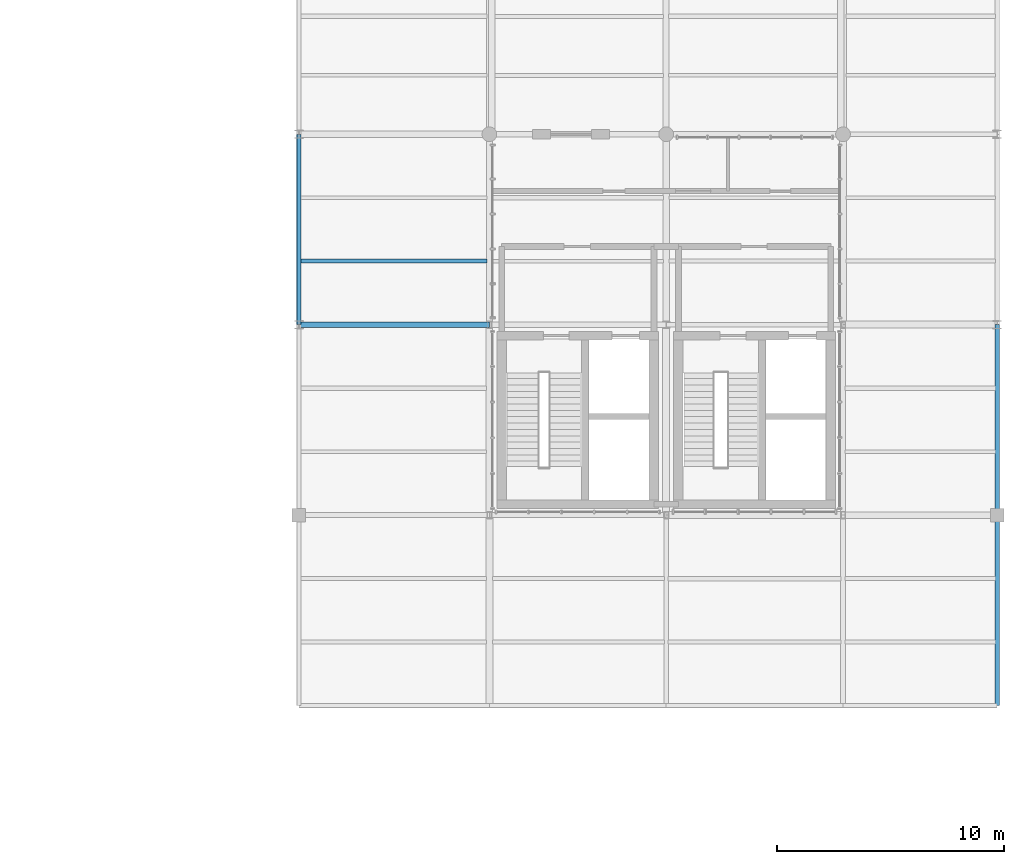
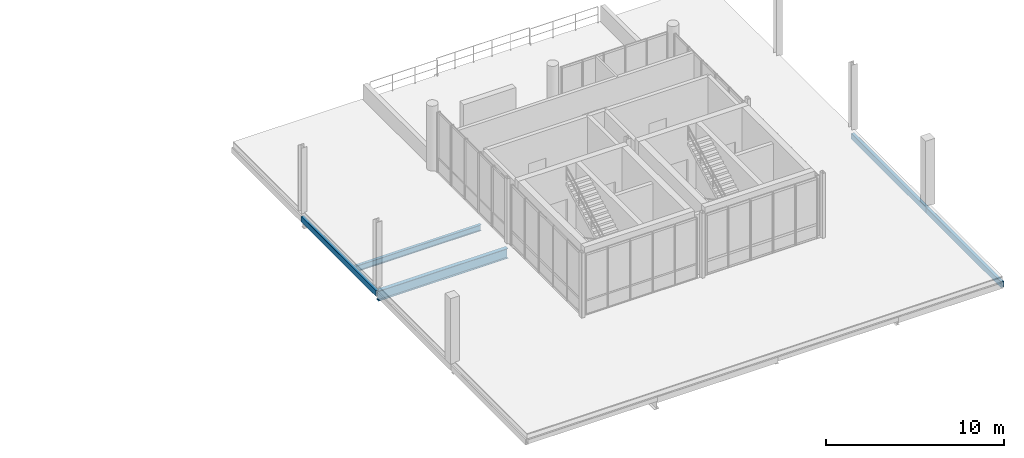
# One storey, part 40 of 66: 5 beams.
"""IFC4 building model written with IfcOpenShell, lengths in metres."""

from ifc_helpers import new_model, si_unit, direction, frame, origin_with_axes, origin_2d_with_axis, place, context, subcontext, project, spatial, hollow_rectangle, i_section, extrude, material, material_profile, profile_set, type_object, element, save


model = new_model("IFC4")

# Units and contexts
model_context = context("Model", 3, precision=1e-05, world=origin_with_axes(), true_north=direction((0.0, 1.0)))
body_context = subcontext(model_context, "Body", "Model", "MODEL_VIEW")
ifc_project = project(units=[si_unit("LENGTHUNIT", "METRE"), si_unit("AREAUNIT", "SQUARE_METRE"), si_unit("VOLUMEUNIT", "CUBIC_METRE"), si_unit("PLANEANGLEUNIT", "RADIAN"), si_unit("MASSUNIT", "GRAM", prefix="KILO"), si_unit("THERMODYNAMICTEMPERATUREUNIT", "KELVIN")], contexts=[model_context])

# Site, building, storey
site_placement = place(None, origin_with_axes())
site = spatial("IfcSite", under=ifc_project, at=site_placement, CompositionType="ELEMENT")
building_placement = place(site_placement, origin_with_axes())
building = spatial("IfcBuilding", under=site, at=building_placement, Name="Montbau Bow Law Courts", CompositionType="ELEMENT")
storey_placement = place(building_placement, frame((0.0, 0.0, 34.5), z_axis=(0.0, 0.0, 1.0), x_axis=(1.0, 0.0, 0.0)))
storey = spatial("IfcBuildingStorey", under=building, at=storey_placement, Name="L07", CompositionType="ELEMENT", Elevation=34.5)

# Beams
ifc_material_1 = material(Name="Steel CSA G40.21 Grade 350W (350 MPa)", Category="steel")
ifc_material_profile_1 = material_profile(ifc_material_1, i_section(OverallWidth=0.254, OverallDepth=0.688, WebThickness=0.0131, FlangeThickness=0.0211, at=origin_2d_with_axis()), Name="W690X152", Category="Main", Priority=0)
ifc_profile_set_1 = profile_set([ifc_material_profile_1], Name="Steel CSA G40.21 Grade 350W (350 MPa)")
beam_type_1 = type_object("IfcBeamType", Name="B-FLR-04", PredefinedType="BEAM", material=ifc_profile_set_1)
beam_1_placement = place(None, frame((138.6, 94.8, 33.866), z_axis=(1.0, 0.0, 0.0), x_axis=(0.0, 1.0, 0.0)))
element("IfcBeam", 1, at=beam_1_placement, inside=storey, type_object=beam_type_1, Name="BM-L07-S1346:bm2_1349", PredefinedType="BEAM", context=body_context, shape_type="SweptSolid", body=[
    extrude(i_section(OverallWidth=0.254, OverallDepth=0.688, WebThickness=0.0131, FlangeThickness=0.0211, at=origin_2d_with_axis()), origin_with_axes(), (0.0, 0.0, 1.0), 8.4),
])
ifc_material_profile_2 = material_profile(ifc_material_1, i_section(OverallWidth=0.179, OverallDepth=0.41, WebThickness=0.0088, FlangeThickness=0.0144, at=origin_2d_with_axis()), Name="W410X67", Category="Main", Priority=0)
ifc_profile_set_2 = profile_set([ifc_material_profile_2], Name="Steel CSA G40.21 Grade 350W (350 MPa)")
beam_type_2 = type_object("IfcBeamType", Name="B-JST-02", PredefinedType="JOIST", material=ifc_profile_set_2)
beam_2_placement = place(None, frame((138.68, 97.6, 33.935), z_axis=(1.0, 0.0, 0.0), x_axis=(0.0, 1.0, 0.0)))
element("IfcBeam", 2, at=beam_2_placement, inside=storey, type_object=beam_type_2, Name="JST-L07-S0741:jst2_0741", PredefinedType="JOIST", context=body_context, shape_type="SweptSolid", body=[
    extrude(i_section(OverallWidth=0.179, OverallDepth=0.41, WebThickness=0.0088, FlangeThickness=0.0144, at=origin_2d_with_axis()), origin_with_axes(), (0.0, 0.0, 1.0), 8.211),
])
ifc_material_2 = material(Name="Steel CSA G40.21 Grade 350WT (350 MPa)", Category="steel")
ifc_material_profile_3 = material_profile(ifc_material_2, hollow_rectangle(XDim=0.203, YDim=0.406, WallThickness=0.0127, InnerFilletRadius=0.0254, OuterFilletRadius=0.0127, at=origin_2d_with_axis()), Name="HSS406X203X13", Category="Main", Priority=0)
ifc_profile_set_3 = profile_set([ifc_material_profile_3], Name="Steel CSA G40.21 Grade 350WT (350 MPa)")
beam_type_3 = type_object("IfcBeamType", Name="B-SPN-01", PredefinedType="SPANDREL", material=ifc_profile_set_3)
for number, where, z_axis, x_axis, name in (
    (3, (138.6, 94.8, 34.007), (0.0, 1.0, 0.0), (-1.0, 0.0, 0.0), "SPN-L07-S1360:bm2_1363"),
    (4, (169.4, 78.0, 34.007), (0.0, 1.0, 0.0), (-1.0, 0.0, 0.0), "SPN-L07-S1374:bm2_1377"),
    (5, (169.4, 86.4, 34.007), (0.0, 1.0, 0.0), (-1.0, 0.0, 0.0), "SPN-L07-S1375:bm2_1378"),
):
    element("IfcBeam", number, at=place(None, frame(where, z_axis=z_axis, x_axis=x_axis)), inside=storey, type_object=beam_type_3, Name=name, PredefinedType="SPANDREL", context=body_context, shape_type="SweptSolid", body=[
        extrude(hollow_rectangle(XDim=0.203, YDim=0.406, WallThickness=0.0127, InnerFilletRadius=0.0254, OuterFilletRadius=0.0127, at=origin_2d_with_axis()), origin_with_axes(), (0.0, 0.0, 1.0), 8.4),
    ])

save(model, "model.ifc")
